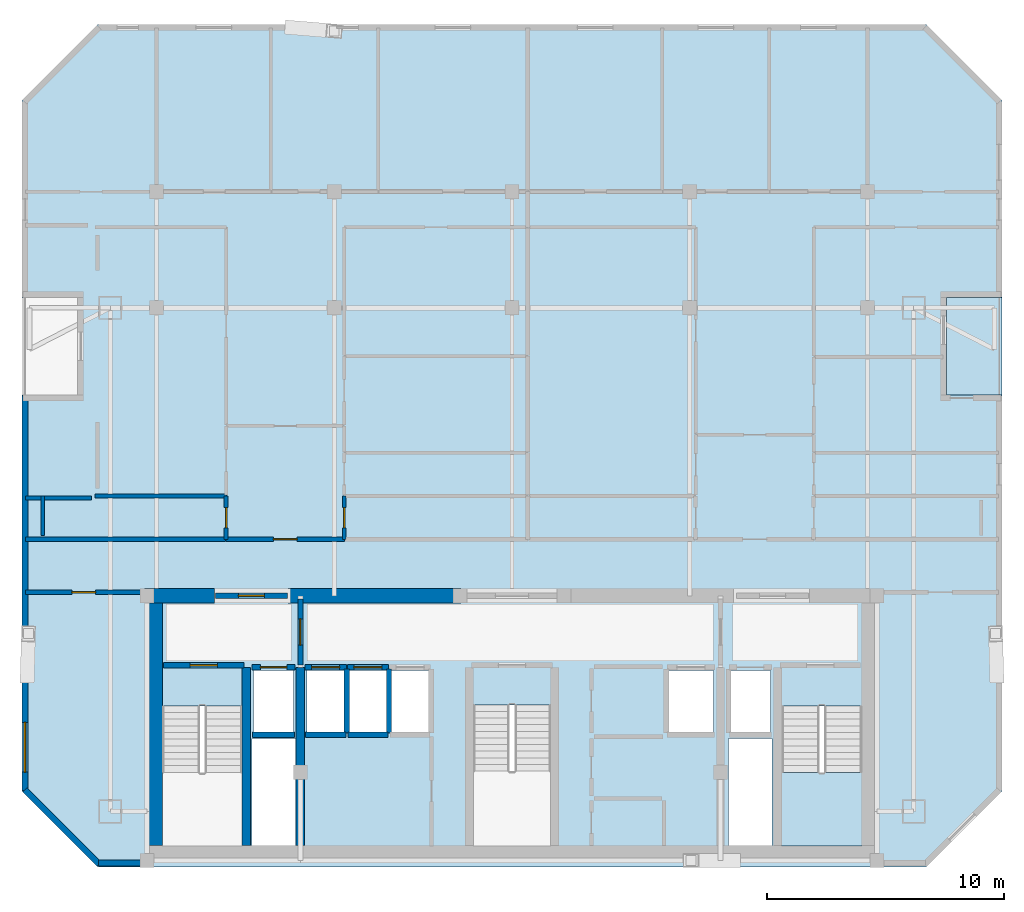
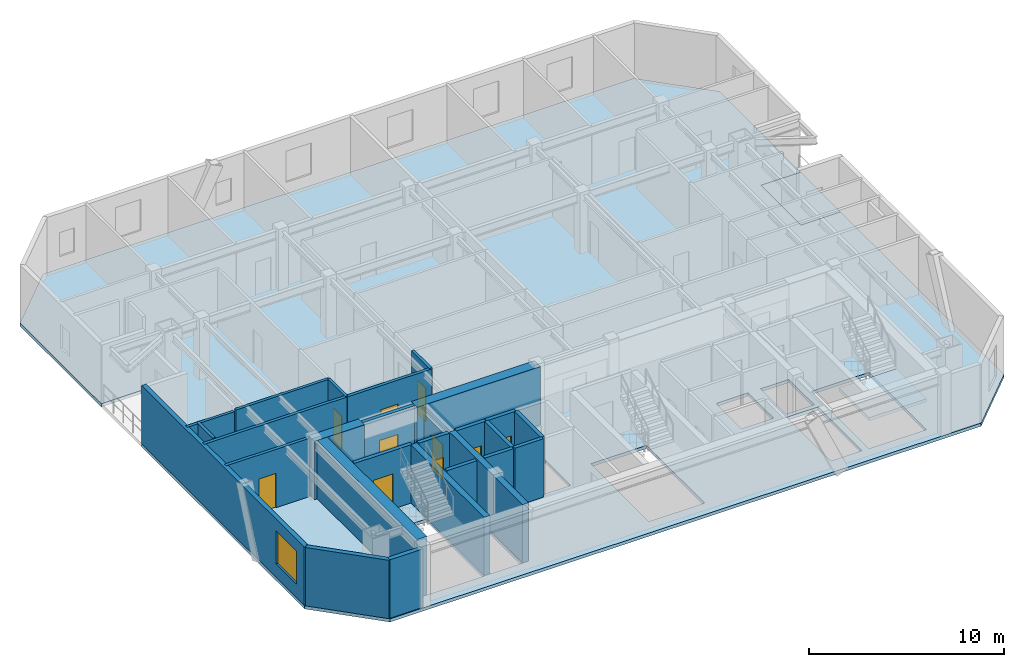
# One storey, part 2 of 7: 27 walls, 10 doors, 3 slabs, 1 window, 11 openings, 1 element without a shape of its own.
"""IFC4 building model written with IfcOpenShell, lengths in metres."""

from ifc_helpers import new_model, si_unit, direction, frame, frame_2d, origin, place, context, subcontext, project, spatial, polyline, rectangle, outline, extrude, material, layer, layer_set, type_object, element, fill, aggregate, save


model = new_model("IFC4")

# Units and contexts
model_context = context("Model", 3, precision=1e-05, world=origin(), true_north=direction((0.0, 1.0)))
body_context = subcontext(model_context, "Body", "Model", "MODEL_VIEW")
ifc_project = project(units=[si_unit("LENGTHUNIT", "METRE"), si_unit("AREAUNIT", "SQUARE_METRE"), si_unit("VOLUMEUNIT", "CUBIC_METRE"), si_unit("PLANEANGLEUNIT", "RADIAN"), si_unit("MASSUNIT", "GRAM", prefix="KILO")], contexts=[model_context])

# Site, building, storey
site_placement = place(None, origin())
site = spatial("IfcSite", under=ifc_project, at=site_placement, CompositionType="ELEMENT")
building_placement = place(site_placement, origin())
building = spatial("IfcBuilding", under=site, at=building_placement, Name="Ventersveld Concourse Tower", CompositionType="ELEMENT")
storey_placement = place(building_placement, frame((0.0, 0.0, 264.449951171875)))
storey = spatial("IfcBuildingStorey", under=building, at=storey_placement, Name="L65", CompositionType="ELEMENT", Elevation=264.449951171875)

# Slabs
ifc_material_1 = material(Name="Concrete C50/60", Category="concrete")
ifc_layer_1 = layer(ifc_material_1, 0.199951171875)
ifc_layer_set_1 = layer_set([ifc_layer_1], Name="Concrete C50/60")
slab_type_1 = type_object("IfcSlabType", Name="SL-FLR-200", PredefinedType="FLOOR", material=ifc_layer_set_1)
slab_1_placement = place(storey_placement, frame((0.0, 0.0, -0.199951171875)))
element("IfcSlab", 1, at=slab_1_placement, inside=storey, type_object=slab_type_1, Name="L65 Composite Floor Slab", PredefinedType="FLOOR", context=body_context, shape_type="SweptSolid", body=[
    extrude(outline(polyline([(11.268798828125, 0.0), (46.231201171875, 0.0), (49.43115234375, 3.199951171875), (49.43115234375, 19.927490234375), (47.081298828125, 19.927490234375), (47.081298828125, 24.027587890625), (49.43115234375, 24.027587890625), (49.43115234375, 32.35498046875), (46.231201171875, 35.554931640625), (11.268798828125, 35.554931640625), (8.06884765625, 32.35498046875), (8.06884765625, 24.027587890625), (10.418701171875, 24.027587890625), (10.418701171875, 19.927490234375), (8.06884765625, 19.927490234375), (8.06884765625, 3.199951171875), (11.268798828125, 0.0)]), holes=[polyline([(13.97998046875, 6.794921875), (13.97998046875, 0.89990234375), (17.3798828125, 0.89990234375), (17.3798828125, 6.794921875), (13.97998046875, 6.794921875)]), polyline([(40.1201171875, 6.794921875), (40.1201171875, 0.89990234375), (43.52001953125, 0.89990234375), (43.52001953125, 6.794921875), (40.1201171875, 6.794921875)]), polyline([(27.10009765625, 6.844970703125), (27.10009765625, 0.89990234375), (30.39990234375, 0.89990234375), (30.39990234375, 6.844970703125), (27.10009765625, 6.844970703125)]), polyline([(17.85009765625, 5.699951171875), (19.530029296875, 5.699951171875), (19.530029296875, 8.300048828125), (17.85009765625, 8.300048828125), (17.85009765625, 5.699951171875)]), polyline([(37.969970703125, 5.699951171875), (39.64990234375, 5.699951171875), (39.64990234375, 8.300048828125), (37.969970703125, 8.300048828125), (37.969970703125, 5.699951171875)]), polyline([(35.35009765625, 5.699951171875), (37.25, 5.699951171875), (37.25, 8.300048828125), (35.35009765625, 8.300048828125), (35.35009765625, 5.699951171875)]), polyline([(20.090087890625, 5.699951171875), (21.68994140625, 5.699951171875), (21.68994140625, 8.300048828125), (20.090087890625, 8.300048828125), (20.090087890625, 5.699951171875)]), polyline([(21.8701171875, 5.699951171875), (23.469970703125, 5.699951171875), (23.469970703125, 8.300048828125), (21.8701171875, 8.300048828125), (21.8701171875, 5.699951171875)]), polyline([(23.64990234375, 5.699951171875), (25.25, 5.699951171875), (25.25, 8.300048828125), (23.64990234375, 8.300048828125), (23.64990234375, 5.699951171875)]), polyline([(17.780029296875, 0.919921875), (19.6201171875, 0.919921875), (19.6201171875, 5.419921875), (17.780029296875, 5.419921875), (17.780029296875, 0.919921875)]), polyline([(37.8798828125, 0.919921875), (39.719970703125, 0.919921875), (39.719970703125, 5.419921875), (37.8798828125, 5.419921875), (37.8798828125, 0.919921875)])]), origin(), (0.0, 0.0, 1.0), 0.199951171875),
])
slab_2_placement = place(storey_placement, frame((0.0, 0.0, -0.199951171875)))
element("IfcSlab", 2, at=slab_2_placement, inside=storey, type_object=slab_type_1, Name="L65 Outdoor Terrace Slab NOTCH-E", PredefinedType="FLOOR", context=body_context, shape_type="SweptSolid", body=[
    extrude(outline(polyline([(47.081298828125, 19.927490234375), (49.43115234375, 19.927490234375), (49.43115234375, 24.027587890625), (47.081298828125, 24.027587890625), (47.081298828125, 19.927490234375)])), origin(), (0.0, 0.0, 1.0), 0.199951171875),
])

# Stair, slab
stair_type = type_object("IfcStairType", Name="ST-DOG-160", PredefinedType="HALF_TURN_STAIR", material=ifc_material_1)
stair_placement = place(storey_placement, origin())
stair = element("IfcStair", 3, at=stair_placement, inside=storey, type_object=stair_type, Name="L65 Protected Tower Escape Stair ST-02", PredefinedType="HALF_TURN_STAIR")
ifc_layer_2 = layer(ifc_material_1, 0.199951171875)
ifc_layer_set_2 = layer_set([ifc_layer_2], Name="Concrete C50/60")
slab_type_2 = type_object("IfcSlabType", Name="SL-LND-200", PredefinedType="LANDING", material=ifc_layer_set_2)
slab_3_placement = place(storey_placement, frame((0.0, 0.0, 1.72509765625)))
slab_3 = element("IfcSlab", 4, at=slab_3_placement, type_object=slab_type_2, Name="ST-02 landing 1", PredefinedType="LANDING", context=body_context, shape_type="SweptSolid", body=[
    extrude(outline(polyline([(40.1201171875, 4.0), (40.1201171875, 0.89990234375), (43.52001953125, 0.89990234375), (43.52001953125, 4.0), (40.1201171875, 4.0)])), origin(), (0.0, 0.0, 1.0), 0.199951171875),
])
aggregate(stair, [slab_3])

# Walls
ifc_layer_3 = layer(ifc_material_1, 0.35009765625)
ifc_layer_set_3 = layer_set([ifc_layer_3], Name="Concrete C50/60")
wall_type_1 = type_object("IfcWallType", Name="WL-CORE-350U", PredefinedType="SHEAR", material=ifc_layer_set_3)
for number, where, z_axis, x_axis, name in (
    (5, (17.5400390625, 0.919921875, 0.0), (0.0, 0.0, 1.0), (0.0, 1.0, 0.0), "L65 Core Internal Shear Web W-ST1-E"),
    (6, (19.820068359375, 0.919921875, 0.0), (0.0, 0.0, 1.0), (0.0, 1.0, 0.0), "L65 Core Internal Shear Web W-FF1-E"),
):
    element("IfcWall", number, at=place(storey_placement, frame(where, z_axis=z_axis, x_axis=x_axis)), inside=storey, type_object=wall_type_1, Name=name, PredefinedType="SHEAR", context=body_context, shape_type="SweptSolid", body=[
        extrude(rectangle(XDim=7.5, YDim=0.35009765625, at=frame_2d((3.75, 0.0))), origin(), (0.0, 0.0, 1.0), 3.650146484375),
    ])
ifc_layer_4 = layer(ifc_material_1, 0.60009765625)
ifc_layer_set_4 = layer_set([ifc_layer_4], Name="Concrete C50/60")
wall_type_2 = type_object("IfcWallType", Name="WL-CORE-600", PredefinedType="SHEAR", material=ifc_layer_set_4)
wall_1_placement = place(storey_placement, frame((13.699951171875, 0.919921875, 0.0), z_axis=(0.0, 0.0, 1.0), x_axis=(0.0, 1.0, 0.0)))
element("IfcWall", 7, at=wall_1_placement, inside=storey, type_object=wall_type_2, Name="L65 Rear Core West Shear Wall", PredefinedType="SHEAR", context=body_context, shape_type="SweptSolid", body=[
    extrude(rectangle(XDim=10.530029296875, YDim=0.60009765625, at=frame_2d((5.26513671875, 0.0))), origin(), (0.0, 0.0, 1.0), 3.650146484375),
])
wall_2_placement = place(storey_placement, frame((13.25, 11.449951171875, 0.0), z_axis=(0.0, 0.0, 1.0), x_axis=(1.0, 0.0, 0.0)))
element("IfcWall", 8, at=wall_2_placement, inside=storey, type_object=wall_type_2, Name="L65 Rear Core North Shear Wall NW", PredefinedType="SHEAR", context=body_context, shape_type="SweptSolid", body=[
    extrude(rectangle(XDim=2.949951171875, YDim=0.60009765625, at=frame_2d((1.47509765625, 0.0))), origin(), (0.0, 0.0, 1.0), 3.650146484375),
])
wall_3_placement = place(storey_placement, frame((19.300048828125, 11.449951171875, 0.0), z_axis=(0.0, 0.0, 1.0), x_axis=(1.0, 0.0, 0.0)))
element("IfcWall", 9, at=wall_3_placement, inside=storey, type_object=wall_type_2, Name="L65 Rear Core North Shear Wall NML", PredefinedType="SHEAR", context=body_context, shape_type="SweptSolid", body=[
    extrude(rectangle(XDim=7.300048828125, YDim=0.60009765625, at=frame_2d((3.64990234375, 0.0))), origin(), (0.0, 0.0, 1.0), 3.650146484375),
])

# Wall, opening, door
ifc_material_2 = material(Name="Fire-rated autoclaved aerated masonry blockwork", Category="masonry")
ifc_layer_5 = layer(ifc_material_2, 0.179931640625)
ifc_layer_set_5 = layer_set([ifc_layer_5], Name="Fire-rated autoclaved aerated masonry blockwork")
wall_type_3 = type_object("IfcWallType", Name="WL-CORR-180", PredefinedType="PARTITIONING", material=ifc_layer_set_5)
wall_4_placement = place(storey_placement, frame((8.21826171875, 11.60009765625, 0.0), z_axis=(0.0, 0.0, 1.0), x_axis=(1.0, 0.0, 0.0)))
wall_4 = element("IfcWall", 10, at=wall_4_placement, inside=storey, type_object=wall_type_3, Name="L65 Interior Partition SP-L65-SW-GAL-SP-L65-COR", PredefinedType="PARTITIONING", context=body_context, shape_type="SweptSolid", body=[
    extrude(rectangle(XDim=4.9267578125, YDim=0.179931640625, at=frame_2d((2.46337890625, 0.0))), origin(), (0.0, 0.0, 1.0), 3.650146484375),
])
opening_1_placement = place(wall_4_placement, frame((1.96337890625, 0.0, 0.0)))
opening_1 = element("IfcOpeningElement", 11, at=opening_1_placement, cuts=wall_4, Name="Opening FD3", PredefinedType="OPENING", context=body_context, shape_type="SweptSolid", body=[
    extrude(rectangle(XDim=1.0, YDim=2.14990234375, at=frame_2d((0.5, 1.074951171875))), frame((0.0, 0.10009765625, 0.0), z_axis=(0.0, -1.0, 0.0), x_axis=(1.0, 0.0, 0.0)), (0.0, 0.0, 1.0), 0.199951171875),
])
ifc_material_3 = material(Name="Solid-core hardwood veneer timber", Category="wood")
door_type_1 = type_object("IfcDoorType", Name="DR-FLAT-100", OperationType="NOTDEFINED", PredefinedType="DOOR", material=ifc_material_3)
door_1_placement = place(opening_1_placement, origin())
door_1 = element("IfcDoor", 12, at=door_1_placement, inside=storey, type_object=door_type_1, Name="L65 Interior Door SP-L65-SW-GAL to SP-L65-COR (D-L65-3062)", OperationType="SINGLE_SWING_RIGHT", OverallHeight=2.14990234375, OverallWidth=1.0, PredefinedType="DOOR", context=body_context, shape_type="SweptSolid", body=[
    extrude(rectangle(XDim=1.0, YDim=2.14990234375, at=frame_2d((0.5, 1.074951171875))), frame((0.0, 0.02490234375, 0.0), z_axis=(0.0, -1.0, 0.0), x_axis=(1.0, 0.0, 0.0)), (0.0, 0.0, 1.0), 0.050048828125),
])
fill(opening_1, door_1)

wall_5_placement = place(storey_placement, frame((16.68505859375, 13.830078125, 0.0), z_axis=(0.0, 0.0, 1.0), x_axis=(1.0, 0.0, 0.0)))
wall_5 = element("IfcWall", 13, at=wall_5_placement, inside=storey, type_object=wall_type_3, Name="L65 Interior Partition SP-L65-COR-SP-L65-65N1-FOY", PredefinedType="PARTITIONING", context=body_context, shape_type="SweptSolid", body=[
    extrude(rectangle(XDim=4.989990234375, YDim=0.179931640625, at=frame_2d((2.4951171875, 0.0))), origin(), (0.0, 0.0, 1.0), 3.650146484375),
])
opening_2_placement = place(wall_5_placement, frame((1.9951171875, 0.0, 0.0)))
opening_2 = element("IfcOpeningElement", 14, at=opening_2_placement, cuts=wall_5, Name="Opening FD3", PredefinedType="OPENING", context=body_context, shape_type="SweptSolid", body=[
    extrude(rectangle(XDim=1.0, YDim=2.14990234375, at=frame_2d((0.5, 1.074951171875))), frame((0.0, 0.10009765625, 0.0), z_axis=(0.0, -1.0, 0.0), x_axis=(1.0, 0.0, 0.0)), (0.0, 0.0, 1.0), 0.199951171875),
])
door_2_placement = place(opening_2_placement, origin())
door_2 = element("IfcDoor", 15, at=door_2_placement, inside=storey, type_object=door_type_1, Name="L65 Interior Door SP-L65-COR to SP-L65-65N1-FOY (FD-L65-3064)", OperationType="SINGLE_SWING_RIGHT", OverallHeight=2.14990234375, OverallWidth=1.0, PredefinedType="DOOR", context=body_context, shape_type="SweptSolid", body=[
    extrude(rectangle(XDim=1.0, YDim=2.14990234375, at=frame_2d((0.5, 1.074951171875))), frame((0.0, 0.02490234375, 0.0), z_axis=(0.0, -1.0, 0.0), x_axis=(1.0, 0.0, 0.0)), (0.0, 0.0, 1.0), 0.050048828125),
])
fill(opening_2, door_2)

# Walls
wall_6_placement = place(storey_placement, frame((8.21826171875, 13.830078125, 0.0), z_axis=(0.0, 0.0, 1.0), x_axis=(1.0, 0.0, 0.0)))
element("IfcWall", 16, at=wall_6_placement, inside=storey, type_object=wall_type_3, Name="L65 Interior Partition SP-L65-COR-SP-L65-65N1-BATH", PredefinedType="PARTITIONING", context=body_context, shape_type="SweptSolid", body=[
    extrude(rectangle(XDim=8.436767578125, YDim=0.179931640625, at=frame_2d((4.21826171875, 0.0))), origin(), (0.0, 0.0, 1.0), 3.650146484375),
])
ifc_layer_6 = layer(ifc_material_2, 0.219970703125)
ifc_layer_set_6 = layer_set([ifc_layer_6], Name="Fire-rated autoclaved aerated masonry blockwork")
wall_type_4 = type_object("IfcWallType", Name="WL-HOIST-220", PredefinedType="SOLIDWALL", material=ifc_layer_set_6)
wall_7_placement = place(storey_placement, frame((17.800048828125, 5.590087890625, 0.0), z_axis=(0.0, 0.0, 1.0), x_axis=(1.0, 0.0, 0.0)))
element("IfcWall", 17, at=wall_7_placement, inside=storey, type_object=wall_type_4, Name="L65 Lift Hoistway Back Wall FFL-01", PredefinedType="SOLIDWALL", context=body_context, shape_type="SweptSolid", body=[
    extrude(rectangle(XDim=1.780029296875, YDim=0.219970703125, at=frame_2d((0.89013671875, 0.0))), origin(), (0.0, 0.0, 1.0), 3.650146484375),
])

# Wall, opening, door
wall_8_placement = place(storey_placement, frame((17.780029296875, 8.429931640625, 0.0), z_axis=(0.0, 0.0, 1.0), x_axis=(1.0, 0.0, 0.0)))
wall_8 = element("IfcWall", 18, at=wall_8_placement, inside=storey, type_object=wall_type_4, Name="L65 Lift Hoistway Front Wall FFL-01", PredefinedType="SOLIDWALL", context=body_context, shape_type="SweptSolid", body=[
    extrude(rectangle(XDim=1.820068359375, YDim=0.219970703125, at=frame_2d((0.91015625, 0.0))), origin(), (0.0, 0.0, 1.0), 3.650146484375),
])
opening_3_placement = place(wall_8_placement, frame((0.35009765625, 0.0, 0.0)))
opening_3 = element("IfcOpeningElement", 19, at=opening_3_placement, cuts=wall_8, Name="Opening LD1", PredefinedType="OPENING", context=body_context, shape_type="SweptSolid", body=[
    extrude(rectangle(XDim=1.1201171875, YDim=2.25, at=frame_2d((0.56005859375, 1.125))), frame((0.0, 0.1201171875, 0.0), z_axis=(0.0, -1.0, 0.0), x_axis=(1.0, 0.0, 0.0)), (0.0, 0.0, 1.0), 0.239990234375),
])
ifc_material_4 = material(Name="Brushed stainless steel 316", Category="steel")
door_type_2 = type_object("IfcDoorType", Name="LD-FF-112", OperationType="SLIDING_TO_LEFT", PredefinedType="DOOR", material=ifc_material_4)
door_3_placement = place(opening_3_placement, origin())
door_3 = element("IfcDoor", 20, at=door_3_placement, inside=storey, type_object=door_type_2, Name="L65 Lift landing door FFL-01 (LD-L65-FFL-01)", OperationType="SLIDING_TO_RIGHT", OverallHeight=2.25, OverallWidth=1.1201171875, PredefinedType="DOOR", context=body_context, shape_type="SweptSolid", body=[
    extrude(rectangle(XDim=1.1201171875, YDim=2.25, at=frame_2d((0.56005859375, 1.125))), frame((0.0, 0.02490234375, 0.0), z_axis=(0.0, -1.0, 0.0), x_axis=(1.0, 0.0, 0.0)), (0.0, 0.0, 1.0), 0.050048828125),
])
fill(opening_3, door_3)

# Walls
wall_9_placement = place(storey_placement, frame((20.0400390625, 5.590087890625, 0.0), z_axis=(0.0, 0.0, 1.0), x_axis=(1.0, 0.0, 0.0)))
element("IfcWall", 21, at=wall_9_placement, inside=storey, type_object=wall_type_4, Name="L65 Lift Hoistway Back Wall PH-01", PredefinedType="SOLIDWALL", context=body_context, shape_type="SweptSolid", body=[
    extrude(rectangle(XDim=1.699951171875, YDim=0.219970703125, at=frame_2d((0.85009765625, 0.0))), origin(), (0.0, 0.0, 1.0), 3.650146484375),
])
wall_10_placement = place(storey_placement, frame((21.780029296875, 5.64990234375, 0.0), z_axis=(0.0, 0.0, 1.0), x_axis=(0.0, 1.0, 0.0)))
element("IfcWall", 22, at=wall_10_placement, inside=storey, type_object=wall_type_4, Name="L65 Lift Hoistway Side Wall PH-01E", PredefinedType="SOLIDWALL", context=body_context, shape_type="SweptSolid", body=[
    extrude(rectangle(XDim=2.7001953125, YDim=0.219970703125, at=frame_2d((1.35009765625, 0.0))), origin(), (0.0, 0.0, 1.0), 3.650146484375),
])

# Wall, opening, door
wall_11_placement = place(storey_placement, frame((20.02001953125, 8.429931640625, 0.0), z_axis=(0.0, 0.0, 1.0), x_axis=(1.0, 0.0, 0.0)))
wall_11 = element("IfcWall", 23, at=wall_11_placement, inside=storey, type_object=wall_type_4, Name="L65 Lift Hoistway Front Wall PH-01", PredefinedType="SOLIDWALL", context=body_context, shape_type="SweptSolid", body=[
    extrude(rectangle(XDim=1.739990234375, YDim=0.219970703125, at=frame_2d((0.8701171875, 0.0))), origin(), (0.0, 0.0, 1.0), 3.650146484375),
])
opening_4_placement = place(wall_11_placement, frame((0.280029296875, 0.0, 0.0)))
opening_4 = element("IfcOpeningElement", 24, at=opening_4_placement, cuts=wall_11, Name="Opening LD2", PredefinedType="OPENING", context=body_context, shape_type="SweptSolid", body=[
    extrude(rectangle(XDim=1.179931640625, YDim=2.199951171875, at=frame_2d((0.58984375, 1.10009765625))), frame((0.0, 0.1201171875, 0.0), z_axis=(0.0, -1.0, 0.0), x_axis=(1.0, 0.0, 0.0)), (0.0, 0.0, 1.0), 0.239990234375),
])
door_type_3 = type_object("IfcDoorType", Name="LD-PAX-118", OperationType="SLIDING_TO_LEFT", PredefinedType="DOOR", material=ifc_material_4)
door_4_placement = place(opening_4_placement, origin())
door_4 = element("IfcDoor", 25, at=door_4_placement, inside=storey, type_object=door_type_3, Name="L65 Lift landing door PH-01 (LD-L65-PH-01)", OperationType="SLIDING_TO_LEFT", OverallHeight=2.199951171875, OverallWidth=1.179931640625, PredefinedType="DOOR", context=body_context, shape_type="SweptSolid", body=[
    extrude(rectangle(XDim=1.179931640625, YDim=2.199951171875, at=frame_2d((0.58984375, 1.10009765625))), frame((0.0, 0.02490234375, 0.0), z_axis=(0.0, -1.0, 0.0), x_axis=(1.0, 0.0, 0.0)), (0.0, 0.0, 1.0), 0.050048828125),
])
fill(opening_4, door_4)

# Walls
wall_12_placement = place(storey_placement, frame((21.820068359375, 5.590087890625, 0.0), z_axis=(0.0, 0.0, 1.0), x_axis=(1.0, 0.0, 0.0)))
element("IfcWall", 26, at=wall_12_placement, inside=storey, type_object=wall_type_4, Name="L65 Lift Hoistway Back Wall PH-02", PredefinedType="SOLIDWALL", context=body_context, shape_type="SweptSolid", body=[
    extrude(rectangle(XDim=1.699951171875, YDim=0.219970703125, at=frame_2d((0.85009765625, 0.0))), origin(), (0.0, 0.0, 1.0), 3.650146484375),
])
wall_13_placement = place(storey_placement, frame((23.56005859375, 5.64990234375, 0.0), z_axis=(0.0, 0.0, 1.0), x_axis=(0.0, 1.0, 0.0)))
element("IfcWall", 27, at=wall_13_placement, inside=storey, type_object=wall_type_4, Name="L65 Lift Hoistway Side Wall PH-02E", PredefinedType="SOLIDWALL", context=body_context, shape_type="SweptSolid", body=[
    extrude(rectangle(XDim=2.7001953125, YDim=0.219970703125, at=frame_2d((1.35009765625, 0.0))), origin(), (0.0, 0.0, 1.0), 3.650146484375),
])

# Wall, opening, door
wall_14_placement = place(storey_placement, frame((21.800048828125, 8.429931640625, 0.0), z_axis=(0.0, 0.0, 1.0), x_axis=(1.0, 0.0, 0.0)))
wall_14 = element("IfcWall", 28, at=wall_14_placement, inside=storey, type_object=wall_type_4, Name="L65 Lift Hoistway Front Wall PH-02", PredefinedType="SOLIDWALL", context=body_context, shape_type="SweptSolid", body=[
    extrude(rectangle(XDim=1.739990234375, YDim=0.219970703125, at=frame_2d((0.8701171875, 0.0))), origin(), (0.0, 0.0, 1.0), 3.650146484375),
])
opening_5_placement = place(wall_14_placement, frame((0.280029296875, 0.0, 0.0)))
opening_5 = element("IfcOpeningElement", 29, at=opening_5_placement, cuts=wall_14, Name="Opening LD2", PredefinedType="OPENING", context=body_context, shape_type="SweptSolid", body=[
    extrude(rectangle(XDim=1.179931640625, YDim=2.199951171875, at=frame_2d((0.58984375, 1.10009765625))), frame((0.0, 0.1201171875, 0.0), z_axis=(0.0, -1.0, 0.0), x_axis=(1.0, 0.0, 0.0)), (0.0, 0.0, 1.0), 0.239990234375),
])
door_5_placement = place(opening_5_placement, origin())
door_5 = element("IfcDoor", 30, at=door_5_placement, inside=storey, type_object=door_type_3, Name="L65 Lift landing door PH-02 (LD-L65-PH-02)", OperationType="SLIDING_TO_RIGHT", OverallHeight=2.199951171875, OverallWidth=1.179931640625, PredefinedType="DOOR", context=body_context, shape_type="SweptSolid", body=[
    extrude(rectangle(XDim=1.179931640625, YDim=2.199951171875, at=frame_2d((0.58984375, 1.10009765625))), frame((0.0, 0.02490234375, 0.0), z_axis=(0.0, -1.0, 0.0), x_axis=(1.0, 0.0, 0.0)), (0.0, 0.0, 1.0), 0.050048828125),
])
fill(opening_5, door_5)

wall_15_placement = place(storey_placement, frame((14.0400390625, 8.52001953125, 0.0), z_axis=(0.0, 0.0, 1.0), x_axis=(1.0, 0.0, 0.0)))
wall_15 = element("IfcWall", 31, at=wall_15_placement, inside=storey, type_object=wall_type_4, Name="L65 Escape Stair ST01 Fire Wall", PredefinedType="SOLIDWALL", context=body_context, shape_type="SweptSolid", body=[
    extrude(rectangle(XDim=3.39990234375, YDim=0.219970703125, at=frame_2d((1.699951171875, 0.0))), origin(), (0.0, 0.0, 1.0), 3.650146484375),
])
opening_6_placement = place(wall_15_placement, frame((1.125, 0.0, 0.0)))
opening_6 = element("IfcOpeningElement", 32, at=opening_6_placement, cuts=wall_15, Name="Opening FD1", PredefinedType="OPENING", context=body_context, shape_type="SweptSolid", body=[
    extrude(rectangle(XDim=1.14990234375, YDim=2.199951171875, at=frame_2d((0.574951171875, 1.10009765625))), frame((0.0, 0.1201171875, 0.0), z_axis=(0.0, -1.0, 0.0), x_axis=(1.0, 0.0, 0.0)), (0.0, 0.0, 1.0), 0.239990234375),
])
ifc_material_5 = material(Name="Galvanised painted steel", Category="steel")
door_type_4 = type_object("IfcDoorType", Name="DR-STAIR-115", OperationType="NOTDEFINED", PredefinedType="DOOR", material=ifc_material_5)
door_6_placement = place(opening_6_placement, origin())
door_6 = element("IfcDoor", 33, at=door_6_placement, inside=storey, type_object=door_type_4, Name="L65 Escape Stair Door ST01 (SD-L65-3050)", OperationType="SINGLE_SWING_LEFT", OverallHeight=2.199951171875, OverallWidth=1.14990234375, PredefinedType="DOOR", context=body_context, shape_type="SweptSolid", body=[
    extrude(rectangle(XDim=1.14990234375, YDim=2.199951171875, at=frame_2d((0.574951171875, 1.10009765625))), frame((0.0, 0.02490234375, 0.0), z_axis=(0.0, -1.0, 0.0), x_axis=(1.0, 0.0, 0.0)), (0.0, 0.0, 1.0), 0.050048828125),
])
fill(opening_6, door_6)

wall_16_placement = place(storey_placement, frame((19.820068359375, 8.52001953125, 0.0), z_axis=(0.0, 0.0, 1.0), x_axis=(0.0, 1.0, 0.0)))
wall_16 = element("IfcWall", 34, at=wall_16_placement, inside=storey, type_object=wall_type_4, Name="L65 Firefighting Lobby Smoke-Stop Wall FFLW-SEP", PredefinedType="SOLIDWALL", context=body_context, shape_type="SweptSolid", body=[
    extrude(rectangle(XDim=2.800048828125, YDim=0.219970703125, at=frame_2d((1.39990234375, 0.0))), origin(), (0.0, 0.0, 1.0), 3.10546875),
])
opening_7_placement = place(wall_16_placement, frame((0.85009765625, 0.0, 0.0)))
opening_7 = element("IfcOpeningElement", 35, at=opening_7_placement, cuts=wall_16, Name="Opening FD2", PredefinedType="OPENING", context=body_context, shape_type="SweptSolid", body=[
    extrude(rectangle(XDim=1.10009765625, YDim=2.199951171875, at=frame_2d((0.550048828125, 1.10009765625))), frame((0.0, 0.1201171875, 0.0), z_axis=(0.0, -1.0, 0.0), x_axis=(1.0, 0.0, 0.0)), (0.0, 0.0, 1.0), 0.239990234375),
])
door_type_5 = type_object("IfcDoorType", Name="DR-FFL-110", OperationType="NOTDEFINED", PredefinedType="DOOR", material=ifc_material_5)
door_7_placement = place(opening_7_placement, origin())
door_7 = element("IfcDoor", 36, at=door_7_placement, inside=storey, type_object=door_type_5, Name="L65 Firefighting Lobby Door FFLW-SEP (FD-L65-3053)", OperationType="SINGLE_SWING_LEFT", OverallHeight=2.199951171875, OverallWidth=1.10009765625, PredefinedType="DOOR", context=body_context, shape_type="SweptSolid", body=[
    extrude(rectangle(XDim=1.10009765625, YDim=2.199951171875, at=frame_2d((0.550048828125, 1.10009765625))), frame((0.0, 0.02490234375, 0.0), z_axis=(0.0, -1.0, 0.0), x_axis=(1.0, 0.0, 0.0)), (0.0, 0.0, 1.0), 0.050048828125),
])
fill(opening_7, door_7)

wall_17_placement = place(storey_placement, frame((16.22998046875, 11.449951171875, 0.0), z_axis=(0.0, 0.0, 1.0), x_axis=(1.0, 0.0, 0.0)))
wall_17 = element("IfcWall", 37, at=wall_17_placement, inside=storey, type_object=wall_type_4, Name="L65 Core North Fire Portal FFLW-OUT", PredefinedType="SOLIDWALL", context=body_context, shape_type="SweptSolid", body=[
    extrude(rectangle(XDim=3.0400390625, YDim=0.219970703125, at=frame_2d((1.52001953125, 0.0))), origin(), (0.0, 0.0, 1.0), 3.650146484375),
])
opening_8_placement = place(wall_17_placement, frame((0.969970703125, 0.0, 0.0)))
opening_8 = element("IfcOpeningElement", 38, at=opening_8_placement, cuts=wall_17, Name="Opening FD2", PredefinedType="OPENING", context=body_context, shape_type="SweptSolid", body=[
    extrude(rectangle(XDim=1.10009765625, YDim=2.199951171875, at=frame_2d((0.550048828125, 1.10009765625))), frame((0.0, 0.1201171875, 0.0), z_axis=(0.0, -1.0, 0.0), x_axis=(1.0, 0.0, 0.0)), (0.0, 0.0, 1.0), 0.239990234375),
])
door_8_placement = place(opening_8_placement, origin())
door_8 = element("IfcDoor", 39, at=door_8_placement, inside=storey, type_object=door_type_5, Name="L65 Core Lobby Fire Door FFLW-OUT (FD-L65-3055)", OperationType="SINGLE_SWING_RIGHT", OverallHeight=2.199951171875, OverallWidth=1.10009765625, PredefinedType="DOOR", context=body_context, shape_type="SweptSolid", body=[
    extrude(rectangle(XDim=1.10009765625, YDim=2.199951171875, at=frame_2d((0.550048828125, 1.10009765625))), frame((0.0, 0.02490234375, 0.0), z_axis=(0.0, -1.0, 0.0), x_axis=(1.0, 0.0, 0.0)), (0.0, 0.0, 1.0), 0.050048828125),
])
fill(opening_8, door_8)

# Wall
ifc_material_6 = material(Name="Precast concrete C45/55", Category="concrete")
ifc_layer_7 = layer(ifc_material_6, 0.260009765625)
ifc_layer_set_7 = layer_set([ifc_layer_7], Name="Precast concrete C45/55")
wall_type_5 = type_object("IfcWallType", Name="WL-PREC-260", PredefinedType="SOLIDWALL", material=ifc_layer_set_7)
wall_18_placement = place(storey_placement, frame((11.308837890625, 0.179931640625, 0.0), z_axis=(0.0, 0.0, 1.0), x_axis=(1.0, 0.0, 0.0)))
element("IfcWall", 40, at=wall_18_placement, inside=storey, type_object=wall_type_5, Name="L65 South-West Flank Precast Wall", PredefinedType="SOLIDWALL", context=body_context, shape_type="SweptSolid", body=[
    extrude(rectangle(XDim=1.941162109375, YDim=0.260009765625, at=frame_2d((0.970703125, 0.0))), origin(), (0.0, 0.0, 1.0), 3.650146484375),
])

# Wall, opening, window
wall_19_placement = place(storey_placement, frame((8.19873046875, 19.887451171875, 0.0), z_axis=(0.0, 0.0, 1.0), x_axis=(0.0, -1.0, 0.0)))
wall_19 = element("IfcWall", 41, at=wall_19_placement, inside=storey, type_object=wall_type_5, Name="L65 Highveld Precast Facade Wall E15", PredefinedType="SOLIDWALL", context=body_context, shape_type="SweptSolid", body=[
    extrude(rectangle(XDim=16.6474609375, YDim=0.260009765625, at=frame_2d((8.32373046875, 0.0))), origin(), (0.0, 0.0, 1.0), 3.650146484375),
])
opening_9_placement = place(wall_19_placement, frame((13.777587890625, 0.0, 0.85009765625)))
opening_9 = element("IfcOpeningElement", 42, at=opening_9_placement, cuts=wall_19, Name="Opening W7", PredefinedType="OPENING", context=body_context, shape_type="SweptSolid", body=[
    extrude(rectangle(XDim=2.10009765625, YDim=2.050048828125, at=frame_2d((1.050048828125, 1.02490234375))), frame((0.0, 0.14013671875, 0.0), z_axis=(0.0, -1.0, 0.0), x_axis=(1.0, 0.0, 0.0)), (0.0, 0.0, 1.0), 0.280029296875),
])
ifc_material_7 = material(Name="Tempered acoustic Low-E IGU", Category="glass")
window_type = type_object("IfcWindowType", Name="WIN-210x205", PartitioningType="SINGLE_PANEL", PredefinedType="WINDOW", material=ifc_material_7)
window_placement = place(opening_9_placement, origin())
window = element("IfcWindow", 43, at=window_placement, inside=storey, type_object=window_type, Name="L65 Punched Low-E Window W-0921", OverallHeight=2.050048828125, OverallWidth=2.10009765625, PartitioningType="SINGLE_PANEL", PredefinedType="WINDOW", context=body_context, shape_type="SweptSolid", body=[
    extrude(rectangle(XDim=2.10009765625, YDim=2.050048828125, at=frame_2d((1.050048828125, 1.02490234375))), frame((0.0, 0.030029296875, 0.0), z_axis=(0.0, -1.0, 0.0), x_axis=(1.0, 0.0, 0.0)), (0.0, 0.0, 1.0), 0.06005859375),
])
fill(opening_9, window)

# Wall
wall_20_placement = place(storey_placement, frame((8.18896484375, 3.263671875, 0.0), z_axis=(0.0, 0.0, 1.0), x_axis=(0.707106781187, -0.707106781187, 0.0)))
element("IfcWall", 44, at=wall_20_placement, inside=storey, type_object=wall_type_5, Name="L65 Highveld Precast Facade Wall E16", PredefinedType="SOLIDWALL", context=body_context, shape_type="SweptSolid", body=[
    extrude(rectangle(XDim=4.445556640625, YDim=0.260009765625, at=frame_2d((2.22265625, 0.0))), origin(), (0.0, 0.0, 1.0), 3.650146484375),
])

# Wall, opening, door
ifc_material_8 = material(Name="Autoclaved aerated masonry blockwork", Category="masonry")
ifc_layer_8 = layer(ifc_material_8, 0.1650390625)
ifc_layer_set_8 = layer_set([ifc_layer_8], Name="Autoclaved aerated masonry blockwork")
wall_type_6 = type_object("IfcWallType", Name="WL-WET-165", PredefinedType="PLUMBINGWALL", material=ifc_layer_set_8)
wall_21_placement = place(storey_placement, frame((16.690185546875, 13.824951171875, 0.0), z_axis=(0.0, 0.0, 1.0), x_axis=(0.0, 1.0, 0.0)))
wall_21 = element("IfcWall", 45, at=wall_21_placement, inside=storey, type_object=wall_type_6, Name="L65 Interior Partition SP-L65-65N1-FOY-SP-L65-65N1-BATH", PredefinedType="PLUMBINGWALL", context=body_context, shape_type="SweptSolid", body=[
    extrude(rectangle(XDim=1.840087890625, YDim=0.1650390625, at=frame_2d((0.919921875, 0.0))), origin(), (0.0, 0.0, 1.0), 3.650146484375),
])
opening_10_placement = place(wall_21_placement, frame((0.4951171875, 0.0, 0.0)))
opening_10 = element("IfcOpeningElement", 46, at=opening_10_placement, cuts=wall_21, Name="Opening ID2", PredefinedType="OPENING", context=body_context, shape_type="SweptSolid", body=[
    extrude(rectangle(XDim=0.85009765625, YDim=2.10009765625, at=frame_2d((0.425048828125, 1.050048828125))), frame((0.0, 0.092529296875, 0.0), z_axis=(0.0, -1.0, 0.0), x_axis=(1.0, 0.0, 0.0)), (0.0, 0.0, 1.0), 0.18505859375),
])
door_type_6 = type_object("IfcDoorType", Name="DR-BATH-085", OperationType="NOTDEFINED", PredefinedType="DOOR", material=ifc_material_3)
door_9_placement = place(opening_10_placement, origin())
door_9 = element("IfcDoor", 47, at=door_9_placement, inside=storey, type_object=door_type_6, Name="L65 Interior Door SP-L65-65N1-FOY to SP-L65-65N1-BATH (D-L65-3067)", OperationType="SINGLE_SWING_LEFT", OverallHeight=2.10009765625, OverallWidth=0.85009765625, PredefinedType="DOOR", context=body_context, shape_type="SweptSolid", body=[
    extrude(rectangle(XDim=0.85009765625, YDim=2.10009765625, at=frame_2d((0.425048828125, 1.050048828125))), frame((0.0, 0.02490234375, 0.0), z_axis=(0.0, -1.0, 0.0), x_axis=(1.0, 0.0, 0.0)), (0.0, 0.0, 1.0), 0.050048828125),
])
fill(opening_10, door_9)

wall_22_placement = place(storey_placement, frame((21.670166015625, 13.824951171875, 0.0), z_axis=(0.0, 0.0, 1.0), x_axis=(0.0, 1.0, 0.0)))
wall_22 = element("IfcWall", 48, at=wall_22_placement, inside=storey, type_object=wall_type_6, Name="L65 Interior Partition SP-L65-65N1-FOY-SP-L65-65N1-PWDR1", PredefinedType="PLUMBINGWALL", context=body_context, shape_type="SweptSolid", body=[
    extrude(rectangle(XDim=1.840087890625, YDim=0.1650390625, at=frame_2d((0.919921875, 0.0))), origin(), (0.0, 0.0, 1.0), 3.650146484375),
])
opening_11_placement = place(wall_22_placement, frame((0.4951171875, 0.0, 0.0)))
opening_11 = element("IfcOpeningElement", 49, at=opening_11_placement, cuts=wall_22, Name="Opening ID2", PredefinedType="OPENING", context=body_context, shape_type="SweptSolid", body=[
    extrude(rectangle(XDim=0.85009765625, YDim=2.10009765625, at=frame_2d((0.425048828125, 1.050048828125))), frame((0.0, 0.092529296875, 0.0), z_axis=(0.0, -1.0, 0.0), x_axis=(1.0, 0.0, 0.0)), (0.0, 0.0, 1.0), 0.18505859375),
])
door_10_placement = place(opening_11_placement, origin())
door_10 = element("IfcDoor", 50, at=door_10_placement, inside=storey, type_object=door_type_6, Name="L65 Interior Door SP-L65-65N1-FOY to SP-L65-65N1-PWDR1 (D-L65-3069)", OperationType="SINGLE_SWING_LEFT", OverallHeight=2.10009765625, OverallWidth=0.85009765625, PredefinedType="DOOR", context=body_context, shape_type="SweptSolid", body=[
    extrude(rectangle(XDim=0.85009765625, YDim=2.10009765625, at=frame_2d((0.425048828125, 1.050048828125))), frame((0.0, 0.02490234375, 0.0), z_axis=(0.0, -1.0, 0.0), x_axis=(1.0, 0.0, 0.0)), (0.0, 0.0, 1.0), 0.050048828125),
])
fill(opening_11, door_10)

# Walls
wall_23_placement = place(storey_placement, frame((11.163818359375, 15.659912109375, 0.0), z_axis=(0.0, 0.0, 1.0), x_axis=(1.0, 0.0, 0.0)))
element("IfcWall", 51, at=wall_23_placement, inside=storey, type_object=wall_type_6, Name="L65 Interior Partition SP-L65-65N1-BATH-SP-L65-65N1-MEDL0", PredefinedType="PLUMBINGWALL", context=body_context, shape_type="SweptSolid", body=[
    extrude(rectangle(XDim=5.53125, YDim=0.1650390625, at=frame_2d((2.765625, 0.0))), origin(), (0.0, 0.0, 1.0), 3.650146484375),
])
wall_24_placement = place(storey_placement, frame((8.21826171875, 15.570068359375, 0.0), z_axis=(0.0, 0.0, 1.0), x_axis=(1.0, 0.0, 0.0)))
element("IfcWall", 52, at=wall_24_placement, inside=storey, type_object=wall_type_6, Name="L65 Room Enclosure Wall SP-L65-65N1-BATH", PredefinedType="PLUMBINGWALL", context=body_context, shape_type="SweptSolid", body=[
    extrude(rectangle(XDim=2.796875, YDim=0.1650390625, at=frame_2d((1.3984375, 0.0))), origin(), (0.0, 0.0, 1.0), 3.650146484375),
])
wall_25_placement = place(storey_placement, frame((8.94873046875, 13.9951171875, 0.0), z_axis=(0.0, 0.0, 1.0), x_axis=(0.0, 1.0, 0.0)))
element("IfcWall", 53, at=wall_25_placement, inside=storey, type_object=wall_type_6, Name="L65 Room Enclosure Wall SP-L65-65N1-BATH", PredefinedType="PLUMBINGWALL", context=body_context, shape_type="SweptSolid", body=[
    extrude(rectangle(XDim=1.669921875, YDim=0.1650390625, at=frame_2d((0.8349609375, 0.0))), origin(), (0.0, 0.0, 1.0), 3.650146484375),
])

save(model, "model.ifc")
